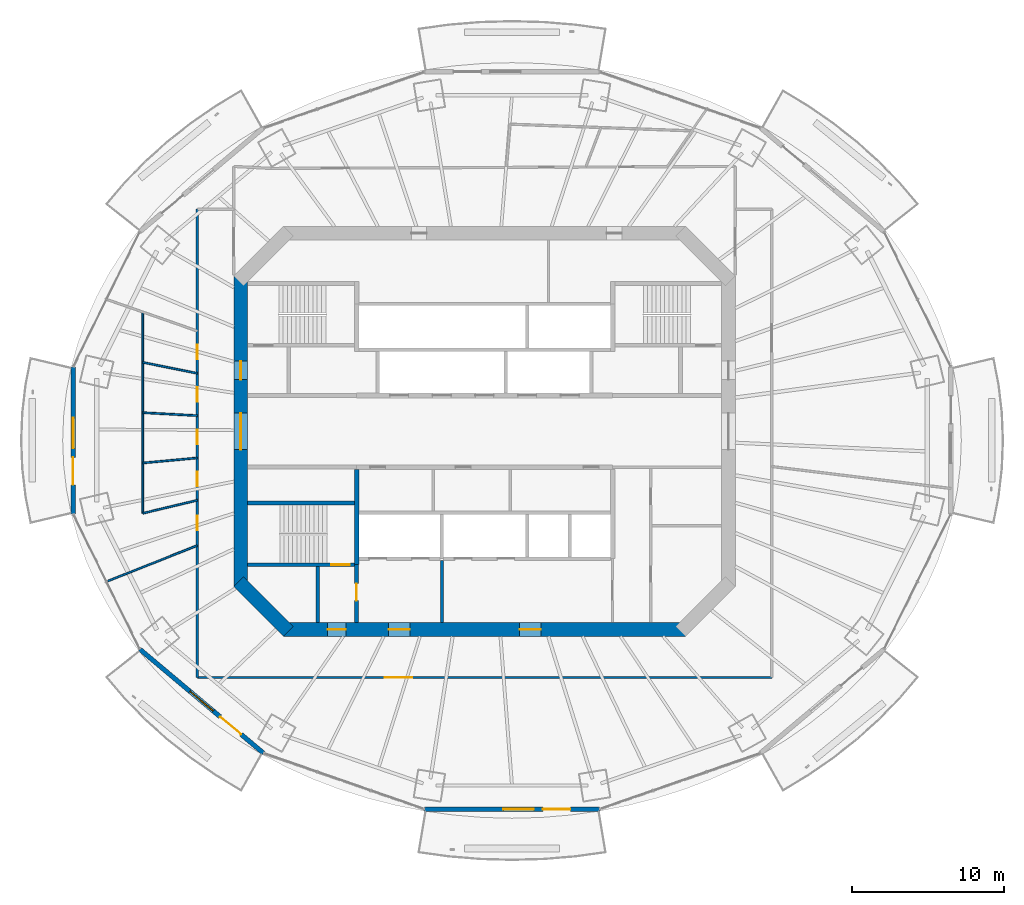
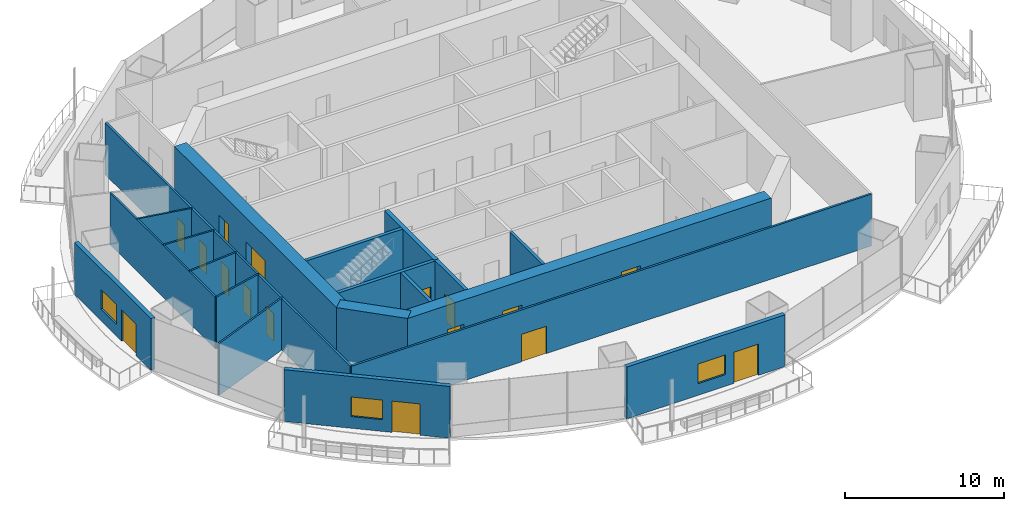
# One storey, part 10 of 18: 20 walls, 16 doors, 3 windows, 19 openings.
"""IFC4 building model written with IfcOpenShell, lengths in metres."""

from ifc_helpers import new_model, si_unit, direction, frame, frame_2d, origin, place, context, subcontext, project, spatial, rectangle, extrude, material, layer, layer_set, type_object, element, fill, save


model = new_model("IFC4")

# Units and contexts
model_context = context("Model", 3, precision=1e-05, world=origin(), true_north=direction((0.0, 1.0)))
body_context = subcontext(model_context, "Body", "Model", "MODEL_VIEW")
ifc_project = project(units=[si_unit("LENGTHUNIT", "METRE"), si_unit("AREAUNIT", "SQUARE_METRE"), si_unit("VOLUMEUNIT", "CUBIC_METRE"), si_unit("PLANEANGLEUNIT", "RADIAN"), si_unit("MASSUNIT", "GRAM", prefix="KILO")], contexts=[model_context])

# Site, building, storey
site_placement = place(None, origin())
site = spatial("IfcSite", under=ifc_project, at=site_placement, CompositionType="ELEMENT")
building_placement = place(site_placement, origin())
building = spatial("IfcBuilding", under=site, at=building_placement, Name="Marenthal Gate Tower", CompositionType="ELEMENT")
storey_placement = place(building_placement, frame((0.0, 0.0, 260.64990234375)))
storey = spatial("IfcBuildingStorey", under=building, at=storey_placement, Name="L58", CompositionType="ELEMENT", Elevation=260.64990234375)

# Wall, openings, doors
ifc_material_1 = material(Name="Concrete 60 MPa", Category="concrete")
ifc_layer_1 = layer(ifc_material_1, 0.89990234375)
ifc_layer_set_1 = layer_set([ifc_layer_1], Name="Core shear wall 900")
wall_type_1 = type_object("IfcWallType", Name="Core shear wall 900", PredefinedType="SHEAR", material=ifc_layer_set_1)
wall_1_placement = place(storey_placement, frame((-16.0, 10.186279296875, -0.179931640625), z_axis=(0.0, 0.0, 1.0), x_axis=(0.0, -1.0, 0.0)))
wall_1 = element("IfcWall", 1, at=wall_1_placement, inside=storey, type_object=wall_type_1, Name="Core wall 06", PredefinedType="SHEAR", context=body_context, shape_type="SweptSolid", body=[
    extrude(rectangle(XDim=20.37255859375, YDim=0.89990234375, at=frame_2d((10.186279296875, 0.0))), origin(), (0.0, 0.0, 1.0), 4.150146484375),
])
opening_1_placement = place(wall_1_placement, frame((8.986328125, 0.0, 0.179931640625)))
opening_1 = element("IfcOpeningElement", 2, at=opening_1_placement, cuts=wall_1, Name="Opening D003.01", PredefinedType="OPENING", context=body_context, shape_type="SweptSolid", body=[
    extrude(rectangle(XDim=2.39990234375, YDim=2.10009765625, at=frame_2d((1.199951171875, 1.050048828125))), frame((0.0, 0.4599609375, 0.0), z_axis=(0.0, -1.0, 0.0), x_axis=(1.0, 0.0, 0.0)), (0.0, 0.0, 1.0), 0.919921875),
])
opening_2_placement = place(wall_1_placement, frame((5.58642578125, 0.0, 0.179931640625)))
opening_2 = element("IfcOpeningElement", 3, at=opening_2_placement, cuts=wall_1, Name="Opening D001.04", PredefinedType="OPENING", context=body_context, shape_type="SweptSolid", body=[
    extrude(rectangle(XDim=1.199951171875, YDim=2.10009765625, at=frame_2d((0.60009765625, 1.050048828125))), frame((0.0, 0.4599609375, 0.0), z_axis=(0.0, -1.0, 0.0), x_axis=(1.0, 0.0, 0.0)), (0.0, 0.0, 1.0), 0.919921875),
])
ifc_material_2 = material(Name="Steel fire door", Category="steel")
door_type_1 = type_object("IfcDoorType", Name="Double fire door FD 45 2400 x 2100", OperationType="DOUBLE_DOOR_SINGLE_SWING", PredefinedType="DOOR", material=ifc_material_2)
door_1_placement = place(opening_1_placement, origin())
door_1 = element("IfcDoor", 4, at=door_1_placement, inside=storey, type_object=door_type_1, Name="Door D003.01", OperationType="DOUBLE_DOOR_SINGLE_SWING", OverallHeight=2.10009765625, OverallWidth=2.39990234375, PredefinedType="DOOR", context=body_context, shape_type="SweptSolid", body=[
    extrude(rectangle(XDim=2.39990234375, YDim=2.10009765625, at=frame_2d((1.199951171875, 1.050048828125))), frame((0.0, 0.02490234375, 0.0), z_axis=(0.0, -1.0, 0.0), x_axis=(1.0, 0.0, 0.0)), (0.0, 0.0, 1.0), 0.050048828125),
])
fill(opening_1, door_1)
ifc_material_3 = material(Name="Steel fire door", Category="steel")
door_type_2 = type_object("IfcDoorType", Name="Fire door FD 90 1200 x 2100", OperationType="NOTDEFINED", PredefinedType="DOOR", material=ifc_material_3)
door_2_placement = place(opening_2_placement, origin())
door_2 = element("IfcDoor", 5, at=door_2_placement, inside=storey, type_object=door_type_2, Name="Door D001.04", OperationType="SINGLE_SWING_RIGHT", OverallHeight=2.10009765625, OverallWidth=1.199951171875, PredefinedType="DOOR", context=body_context, shape_type="SweptSolid", body=[
    extrude(rectangle(XDim=1.199951171875, YDim=2.10009765625, at=frame_2d((0.60009765625, 1.050048828125))), frame((0.0, 0.02490234375, 0.0), z_axis=(0.0, -1.0, 0.0), x_axis=(1.0, 0.0, 0.0)), (0.0, 0.0, 1.0), 0.050048828125),
])
fill(opening_2, door_2)

# Wall
wall_2_placement = place(storey_placement, frame((-16.1318359375, -9.8681640625, -0.179931640625), z_axis=(0.0, 0.0, 1.0), x_axis=(0.707106781187, -0.707106781187, 0.0)))
element("IfcWall", 6, at=wall_2_placement, inside=storey, type_object=wall_type_1, Name="Core wall 07", PredefinedType="SHEAR", context=body_context, shape_type="SweptSolid", body=[
    extrude(rectangle(XDim=4.615478515625, YDim=0.89990234375, at=frame_2d((2.3076171875, 0.0))), origin(), (0.0, 0.0, 1.0), 4.150146484375),
])

# Wall, openings, doors
wall_3_placement = place(storey_placement, frame((-13.186279296875, -13.0, -0.179931640625), z_axis=(0.0, 0.0, 1.0), x_axis=(1.0, 0.0, 0.0)))
wall_3 = element("IfcWall", 7, at=wall_3_placement, inside=storey, type_object=wall_type_1, Name="Core wall 08", PredefinedType="SHEAR", context=body_context, shape_type="SweptSolid", body=[
    extrude(rectangle(XDim=26.37255859375, YDim=0.89990234375, at=frame_2d((13.186279296875, 0.0))), origin(), (0.0, 0.0, 1.0), 4.150146484375),
])
opening_3_placement = place(wall_3_placement, frame((2.886474609375, 0.0, 0.179931640625)))
opening_3 = element("IfcOpeningElement", 8, at=opening_3_placement, cuts=wall_3, Name="Opening D001.06", PredefinedType="OPENING", context=body_context, shape_type="SweptSolid", body=[
    extrude(rectangle(XDim=1.199951171875, YDim=2.10009765625, at=frame_2d((0.60009765625, 1.050048828125))), frame((0.0, 0.4599609375, 0.0), z_axis=(0.0, -1.0, 0.0), x_axis=(1.0, 0.0, 0.0)), (0.0, 0.0, 1.0), 0.919921875),
])
opening_4_placement = place(wall_3_placement, frame((6.886474609375, 0.0, 0.179931640625)))
opening_4 = element("IfcOpeningElement", 9, at=opening_4_placement, cuts=wall_3, Name="Opening D004.01", PredefinedType="OPENING", context=body_context, shape_type="SweptSolid", body=[
    extrude(rectangle(XDim=1.39990234375, YDim=2.10009765625, at=frame_2d((0.699951171875, 1.050048828125))), frame((0.0, 0.4599609375, 0.0), z_axis=(0.0, -1.0, 0.0), x_axis=(1.0, 0.0, 0.0)), (0.0, 0.0, 1.0), 0.919921875),
])
opening_5_placement = place(wall_3_placement, frame((15.486328125, 0.0, 0.179931640625)))
opening_5 = element("IfcOpeningElement", 10, at=opening_5_placement, cuts=wall_3, Name="Opening D004.02", PredefinedType="OPENING", context=body_context, shape_type="SweptSolid", body=[
    extrude(rectangle(XDim=1.39990234375, YDim=2.10009765625, at=frame_2d((0.699951171875, 1.050048828125))), frame((0.0, 0.4599609375, 0.0), z_axis=(0.0, -1.0, 0.0), x_axis=(1.0, 0.0, 0.0)), (0.0, 0.0, 1.0), 0.919921875),
])
ifc_material_4 = material(Name="Steel fire door", Category="steel")
door_type_3 = type_object("IfcDoorType", Name="Fire door FD 45 1400 x 2100", OperationType="NOTDEFINED", PredefinedType="DOOR", material=ifc_material_4)
door_3_placement = place(opening_4_placement, origin())
door_3 = element("IfcDoor", 11, at=door_3_placement, inside=storey, type_object=door_type_3, Name="Door D004.01", OperationType="SINGLE_SWING_RIGHT", OverallHeight=2.10009765625, OverallWidth=1.39990234375, PredefinedType="DOOR", context=body_context, shape_type="SweptSolid", body=[
    extrude(rectangle(XDim=1.39990234375, YDim=2.10009765625, at=frame_2d((0.699951171875, 1.050048828125))), frame((0.0, 0.02490234375, 0.0), z_axis=(0.0, -1.0, 0.0), x_axis=(1.0, 0.0, 0.0)), (0.0, 0.0, 1.0), 0.050048828125),
])
fill(opening_4, door_3)
door_4_placement = place(opening_5_placement, origin())
door_4 = element("IfcDoor", 12, at=door_4_placement, inside=storey, type_object=door_type_3, Name="Door D004.02", OperationType="SINGLE_SWING_RIGHT", OverallHeight=2.10009765625, OverallWidth=1.39990234375, PredefinedType="DOOR", context=body_context, shape_type="SweptSolid", body=[
    extrude(rectangle(XDim=1.39990234375, YDim=2.10009765625, at=frame_2d((0.699951171875, 1.050048828125))), frame((0.0, 0.02490234375, 0.0), z_axis=(0.0, -1.0, 0.0), x_axis=(1.0, 0.0, 0.0)), (0.0, 0.0, 1.0), 0.050048828125),
])
fill(opening_5, door_4)
door_5_placement = place(opening_3_placement, origin())
door_5 = element("IfcDoor", 13, at=door_5_placement, inside=storey, type_object=door_type_2, Name="Door D001.06", OperationType="SINGLE_SWING_RIGHT", OverallHeight=2.10009765625, OverallWidth=1.199951171875, PredefinedType="DOOR", context=body_context, shape_type="SweptSolid", body=[
    extrude(rectangle(XDim=1.199951171875, YDim=2.10009765625, at=frame_2d((0.60009765625, 1.050048828125))), frame((0.0, 0.02490234375, 0.0), z_axis=(0.0, -1.0, 0.0), x_axis=(1.0, 0.0, 0.0)), (0.0, 0.0, 1.0), 0.050048828125),
])
fill(opening_3, door_5)

# Walls
ifc_material_5 = material(Name="Gypsum board on steel studs", Category="steel")
ifc_layer_2 = layer(ifc_material_5, 0.199951171875)
ifc_layer_set_2 = layer_set([ifc_layer_2], Name="Fire lobby wall 200")
wall_type_2 = type_object("IfcWallType", Name="Fire lobby wall 200", PredefinedType="PARTITIONING", material=ifc_layer_set_2)
wall_4_placement = place(storey_placement, frame((-2.800048828125, -12.550048828125, 0.0), z_axis=(0.0, 0.0, 1.0), x_axis=(0.0, 1.0, 0.0)))
element("IfcWall", 14, at=wall_4_placement, inside=storey, type_object=wall_type_2, Name="Fire wall 35", PredefinedType="PARTITIONING", context=body_context, shape_type="SweptSolid", body=[
    extrude(rectangle(XDim=4.090087890625, YDim=0.199951171875, at=frame_2d((2.044921875, 0.0))), origin(), (0.0, 0.0, 1.0), 3.97021484375),
])
ifc_material_6 = material(Name="Concrete 50 MPa", Category="concrete")
ifc_layer_3 = layer(ifc_material_6, 0.300048828125)
ifc_layer_set_3 = layer_set([ifc_layer_3], Name="Hoistway shear wall 300")
wall_type_3 = type_object("IfcWallType", Name="Hoistway shear wall 300", PredefinedType="SHEAR", material=ifc_layer_set_3)
wall_5_placement = place(storey_placement, frame((-8.39990234375, -8.75, -0.179931640625), z_axis=(0.0, 0.0, 1.0), x_axis=(0.0, 1.0, 0.0)))
element("IfcWall", 15, at=wall_5_placement, inside=storey, type_object=wall_type_3, Name="Hoistway wall 30", PredefinedType="SHEAR", context=body_context, shape_type="SweptSolid", body=[
    extrude(rectangle(XDim=6.25, YDim=0.300048828125, at=frame_2d((3.125, 0.0))), origin(), (0.0, 0.0, 1.0), 4.150146484375),
])
ifc_material_7 = material(Name="Gypsum board on steel studs", Category="steel")
ifc_layer_4 = layer(ifc_material_7, 0.1201171875)
ifc_layer_set_4 = layer_set([ifc_layer_4], Name="Partition 120")
wall_type_4 = type_object("IfcWallType", Name="Partition 120", PredefinedType="PARTITIONING", material=ifc_layer_set_4)
wall_6_placement = place(storey_placement, frame((-22.4228515625, -5.37939453125, 0.0), z_axis=(0.0, 0.0, 1.0), x_axis=(0.972404790941, 0.233300069769, 0.0)))
element("IfcWall", 16, at=wall_6_placement, inside=storey, type_object=wall_type_4, Name="Partition wall 50", PredefinedType="PARTITIONING", context=body_context, shape_type="SweptSolid", body=[
    extrude(rectangle(XDim=3.674072265625, YDim=0.1201171875, at=frame_2d((1.8369140625, 0.0))), origin(), (0.0, 0.0, 1.0), 3.97021484375),
])
wall_7_placement = place(storey_placement, frame((-22.4228515625, -2.07763671875, 0.0), z_axis=(0.0, 0.0, 1.0), x_axis=(0.995734425091, 0.092265674486, 0.0)))
element("IfcWall", 17, at=wall_7_placement, inside=storey, type_object=wall_type_4, Name="Partition wall 51", PredefinedType="PARTITIONING", context=body_context, shape_type="SweptSolid", body=[
    extrude(rectangle(XDim=3.588134765625, YDim=0.1201171875, at=frame_2d((1.7939453125, 0.0))), origin(), (0.0, 0.0, 1.0), 3.97021484375),
])
wall_8_placement = place(storey_placement, frame((-22.4228515625, 1.223876953125, 0.0), z_axis=(0.0, 0.0, 1.0), x_axis=(0.998512805401, -0.054517680164, 0.0)))
element("IfcWall", 18, at=wall_8_placement, inside=storey, type_object=wall_type_4, Name="Partition wall 52", PredefinedType="PARTITIONING", context=body_context, shape_type="SweptSolid", body=[
    extrude(rectangle(XDim=3.578125, YDim=0.1201171875, at=frame_2d((1.7890625, 0.0))), origin(), (0.0, 0.0, 1.0), 3.97021484375),
])
wall_9_placement = place(storey_placement, frame((-22.4228515625, 4.525634765625, 0.0), z_axis=(0.0, 0.0, 1.0), x_axis=(0.980228738347, -0.19786768437, 0.0)))
element("IfcWall", 19, at=wall_9_placement, inside=storey, type_object=wall_type_4, Name="Partition wall 53", PredefinedType="PARTITIONING", context=body_context, shape_type="SweptSolid", body=[
    extrude(rectangle(XDim=3.644775390625, YDim=0.1201171875, at=frame_2d((1.822265625, 0.0))), origin(), (0.0, 0.0, 1.0), 3.97021484375),
])
wall_10_placement = place(storey_placement, frame((-22.4228515625, 7.8271484375, 0.0), z_axis=(0.0, 0.0, 1.0), x_axis=(0.0, -1.0, 0.0)))
element("IfcWall", 20, at=wall_10_placement, inside=storey, type_object=wall_type_4, Name="Partition wall 54", PredefinedType="PARTITIONING", context=body_context, shape_type="SweptSolid", body=[
    extrude(rectangle(XDim=13.20654296875, YDim=0.1201171875, at=frame_2d((6.603271484375, 0.0))), origin(), (0.0, 0.0, 1.0), 3.97021484375),
])
wall_11_placement = place(storey_placement, frame((-18.85009765625, -7.491943359375, 0.0), z_axis=(0.0, 0.0, 1.0), x_axis=(-0.929289035648, -0.369353337908, 0.0)))
element("IfcWall", 21, at=wall_11_placement, inside=storey, type_object=wall_type_4, Name="Partition wall 56", PredefinedType="PARTITIONING", context=body_context, shape_type="SweptSolid", body=[
    extrude(rectangle(XDim=6.40771484375, YDim=0.1201171875, at=frame_2d((3.203857421875, 0.0))), origin(), (0.0, 0.0, 1.0), 3.97021484375),
])

# Wall, openings, doors
ifc_material_8 = material(Name="Gypsum board on steel studs", Category="steel")
ifc_layer_5 = layer(ifc_material_8, 0.14990234375)
ifc_layer_set_5 = layer_set([ifc_layer_5], Name="Partition 150")
wall_type_5 = type_object("IfcWallType", Name="Partition 150", PredefinedType="PARTITIONING", material=ifc_layer_set_5)
wall_12_placement = place(storey_placement, frame((-18.85009765625, -16.14990234375, 0.0), z_axis=(0.0, 0.0, 1.0), x_axis=(0.0, 1.0, 0.0)))
wall_12 = element("IfcWall", 22, at=wall_12_placement, inside=storey, type_object=wall_type_5, Name="Partition wall 55", PredefinedType="PARTITIONING", context=body_context, shape_type="SweptSolid", body=[
    extrude(rectangle(XDim=30.72998046875, YDim=0.14990234375, at=frame_2d((15.364990234375, 0.0))), origin(), (0.0, 0.0, 1.0), 3.97021484375),
])
opening_6_placement = place(wall_12_placement, frame((20.866943359375, 0.0, 0.0)))
opening_6 = element("IfcOpeningElement", 23, at=opening_6_placement, cuts=wall_12, Name="Opening D016.03", PredefinedType="OPENING", context=body_context, shape_type="SweptSolid", body=[
    extrude(rectangle(XDim=0.949951171875, YDim=2.10009765625, at=frame_2d((0.47509765625, 1.050048828125))), frame((0.0, 0.0849609375, 0.0), z_axis=(0.0, -1.0, 0.0), x_axis=(1.0, 0.0, 0.0)), (0.0, 0.0, 1.0), 0.169921875),
])
opening_7_placement = place(wall_12_placement, frame((18.091064453125, 0.0, 0.0)))
opening_7 = element("IfcOpeningElement", 24, at=opening_7_placement, cuts=wall_12, Name="Opening D016.04", PredefinedType="OPENING", context=body_context, shape_type="SweptSolid", body=[
    extrude(rectangle(XDim=0.949951171875, YDim=2.10009765625, at=frame_2d((0.47509765625, 1.050048828125))), frame((0.0, 0.0849609375, 0.0), z_axis=(0.0, -1.0, 0.0), x_axis=(1.0, 0.0, 0.0)), (0.0, 0.0, 1.0), 0.169921875),
])
opening_8_placement = place(wall_12_placement, frame((15.31591796875, 0.0, 0.0)))
opening_8 = element("IfcOpeningElement", 25, at=opening_8_placement, cuts=wall_12, Name="Opening D016.05", PredefinedType="OPENING", context=body_context, shape_type="SweptSolid", body=[
    extrude(rectangle(XDim=0.949951171875, YDim=2.10009765625, at=frame_2d((0.47509765625, 1.050048828125))), frame((0.0, 0.0849609375, 0.0), z_axis=(0.0, -1.0, 0.0), x_axis=(1.0, 0.0, 0.0)), (0.0, 0.0, 1.0), 0.169921875),
])
opening_9_placement = place(wall_12_placement, frame((12.5400390625, 0.0, 0.0)))
opening_9 = element("IfcOpeningElement", 26, at=opening_9_placement, cuts=wall_12, Name="Opening D016.06", PredefinedType="OPENING", context=body_context, shape_type="SweptSolid", body=[
    extrude(rectangle(XDim=0.949951171875, YDim=2.10009765625, at=frame_2d((0.47509765625, 1.050048828125))), frame((0.0, 0.0849609375, 0.0), z_axis=(0.0, -1.0, 0.0), x_axis=(1.0, 0.0, 0.0)), (0.0, 0.0, 1.0), 0.169921875),
])
opening_10_placement = place(wall_12_placement, frame((9.66796875, 0.0, 0.0)))
opening_10 = element("IfcOpeningElement", 27, at=opening_10_placement, cuts=wall_12, Name="Opening D016.07", PredefinedType="OPENING", context=body_context, shape_type="SweptSolid", body=[
    extrude(rectangle(XDim=0.949951171875, YDim=2.10009765625, at=frame_2d((0.47509765625, 1.050048828125))), frame((0.0, 0.0849609375, 0.0), z_axis=(0.0, -1.0, 0.0), x_axis=(1.0, 0.0, 0.0)), (0.0, 0.0, 1.0), 0.169921875),
])
ifc_material_9 = material(Name="Timber door", Category="wood")
door_type_4 = type_object("IfcDoorType", Name="Door 950 x 2100", OperationType="NOTDEFINED", PredefinedType="DOOR", material=ifc_material_9)
door_6_placement = place(opening_6_placement, origin())
door_6 = element("IfcDoor", 28, at=door_6_placement, inside=storey, type_object=door_type_4, Name="Door D016.03", OperationType="SINGLE_SWING_RIGHT", OverallHeight=2.10009765625, OverallWidth=0.949951171875, PredefinedType="DOOR", context=body_context, shape_type="SweptSolid", body=[
    extrude(rectangle(XDim=0.949951171875, YDim=2.10009765625, at=frame_2d((0.47509765625, 1.050048828125))), frame((0.0, 0.02490234375, 0.0), z_axis=(0.0, -1.0, 0.0), x_axis=(1.0, 0.0, 0.0)), (0.0, 0.0, 1.0), 0.050048828125),
])
fill(opening_6, door_6)
door_7_placement = place(opening_7_placement, origin())
door_7 = element("IfcDoor", 29, at=door_7_placement, inside=storey, type_object=door_type_4, Name="Door D016.04", OperationType="SINGLE_SWING_RIGHT", OverallHeight=2.10009765625, OverallWidth=0.949951171875, PredefinedType="DOOR", context=body_context, shape_type="SweptSolid", body=[
    extrude(rectangle(XDim=0.949951171875, YDim=2.10009765625, at=frame_2d((0.47509765625, 1.050048828125))), frame((0.0, 0.02490234375, 0.0), z_axis=(0.0, -1.0, 0.0), x_axis=(1.0, 0.0, 0.0)), (0.0, 0.0, 1.0), 0.050048828125),
])
fill(opening_7, door_7)
door_8_placement = place(opening_8_placement, origin())
door_8 = element("IfcDoor", 30, at=door_8_placement, inside=storey, type_object=door_type_4, Name="Door D016.05", OperationType="SINGLE_SWING_RIGHT", OverallHeight=2.10009765625, OverallWidth=0.949951171875, PredefinedType="DOOR", context=body_context, shape_type="SweptSolid", body=[
    extrude(rectangle(XDim=0.949951171875, YDim=2.10009765625, at=frame_2d((0.47509765625, 1.050048828125))), frame((0.0, 0.02490234375, 0.0), z_axis=(0.0, -1.0, 0.0), x_axis=(1.0, 0.0, 0.0)), (0.0, 0.0, 1.0), 0.050048828125),
])
fill(opening_8, door_8)
door_9_placement = place(opening_9_placement, origin())
door_9 = element("IfcDoor", 31, at=door_9_placement, inside=storey, type_object=door_type_4, Name="Door D016.06", OperationType="SINGLE_SWING_RIGHT", OverallHeight=2.10009765625, OverallWidth=0.949951171875, PredefinedType="DOOR", context=body_context, shape_type="SweptSolid", body=[
    extrude(rectangle(XDim=0.949951171875, YDim=2.10009765625, at=frame_2d((0.47509765625, 1.050048828125))), frame((0.0, 0.02490234375, 0.0), z_axis=(0.0, -1.0, 0.0), x_axis=(1.0, 0.0, 0.0)), (0.0, 0.0, 1.0), 0.050048828125),
])
fill(opening_9, door_9)
door_10_placement = place(opening_10_placement, origin())
door_10 = element("IfcDoor", 32, at=door_10_placement, inside=storey, type_object=door_type_4, Name="Door D016.07", OperationType="SINGLE_SWING_RIGHT", OverallHeight=2.10009765625, OverallWidth=0.949951171875, PredefinedType="DOOR", context=body_context, shape_type="SweptSolid", body=[
    extrude(rectangle(XDim=0.949951171875, YDim=2.10009765625, at=frame_2d((0.47509765625, 1.050048828125))), frame((0.0, 0.02490234375, 0.0), z_axis=(0.0, -1.0, 0.0), x_axis=(1.0, 0.0, 0.0)), (0.0, 0.0, 1.0), 0.050048828125),
])
fill(opening_10, door_10)

# Wall, opening, door
wall_13_placement = place(storey_placement, frame((18.85009765625, -16.14990234375, 0.0), z_axis=(0.0, 0.0, 1.0), x_axis=(-1.0, 0.0, 0.0)))
wall_13 = element("IfcWall", 33, at=wall_13_placement, inside=storey, type_object=wall_type_5, Name="Partition wall 68", PredefinedType="PARTITIONING", context=body_context, shape_type="SweptSolid", body=[
    extrude(rectangle(XDim=37.7001953125, YDim=0.14990234375, at=frame_2d((18.85009765625, 0.0))), origin(), (0.0, 0.0, 1.0), 3.97021484375),
])
opening_11_placement = place(wall_13_placement, frame((23.5830078125, 0.0, 0.0)))
opening_11 = element("IfcOpeningElement", 34, at=opening_11_placement, cuts=wall_13, Name="Opening D014.02", PredefinedType="OPENING", context=body_context, shape_type="SweptSolid", body=[
    extrude(rectangle(XDim=1.800048828125, YDim=2.10009765625, at=frame_2d((0.89990234375, 1.050048828125))), frame((0.0, 0.0849609375, 0.0), z_axis=(0.0, -1.0, 0.0), x_axis=(1.0, 0.0, 0.0)), (0.0, 0.0, 1.0), 0.169921875),
])
ifc_material_10 = material(Name="Timber door", Category="wood")
door_type_5 = type_object("IfcDoorType", Name="Double door 1800 x 2100", OperationType="DOUBLE_DOOR_SINGLE_SWING", PredefinedType="DOOR", material=ifc_material_10)
door_11_placement = place(opening_11_placement, origin())
door_11 = element("IfcDoor", 35, at=door_11_placement, inside=storey, type_object=door_type_5, Name="Door D014.02", OperationType="DOUBLE_DOOR_SINGLE_SWING", OverallHeight=2.10009765625, OverallWidth=1.800048828125, PredefinedType="DOOR", context=body_context, shape_type="SweptSolid", body=[
    extrude(rectangle(XDim=1.800048828125, YDim=2.10009765625, at=frame_2d((0.89990234375, 1.050048828125))), frame((0.0, 0.02490234375, 0.0), z_axis=(0.0, -1.0, 0.0), x_axis=(1.0, 0.0, 0.0)), (0.0, 0.0, 1.0), 0.050048828125),
])
fill(opening_11, door_11)

# Wall
ifc_material_11 = material(Name="Concrete 40 MPa", Category="concrete")
ifc_layer_6 = layer(ifc_material_11, 0.25)
ifc_layer_set_6 = layer_set([ifc_layer_6], Name="Stair enclosure wall 250")
wall_type_6 = type_object("IfcWallType", Name="Stair enclosure wall 250", PredefinedType="STANDARD", material=ifc_layer_set_6)
wall_14_placement = place(storey_placement, frame((-10.949951171875, -12.550048828125, 0.0), z_axis=(0.0, 0.0, 1.0), x_axis=(0.0, 1.0, 0.0)))
element("IfcWall", 36, at=wall_14_placement, inside=storey, type_object=wall_type_6, Name="Stair wall 28", PredefinedType="STANDARD", context=body_context, shape_type="SweptSolid", body=[
    extrude(rectangle(XDim=3.675048828125, YDim=0.25, at=frame_2d((1.83740234375, 0.0))), origin(), (0.0, 0.0, 1.0), 3.97021484375),
])

# Wall, opening, door
wall_15_placement = place(storey_placement, frame((-8.39990234375, -12.550048828125, 0.0), z_axis=(0.0, 0.0, 1.0), x_axis=(0.0, 1.0, 0.0)))
wall_15 = element("IfcWall", 37, at=wall_15_placement, inside=storey, type_object=wall_type_6, Name="Stair wall 29", PredefinedType="STANDARD", context=body_context, shape_type="SweptSolid", body=[
    extrude(rectangle(XDim=3.800048828125, YDim=0.25, at=frame_2d((1.89990234375, 0.0))), origin(), (0.0, 0.0, 1.0), 3.97021484375),
])
opening_12_placement = place(wall_15_placement, frame((1.449951171875, 0.0, 0.0)))
opening_12 = element("IfcOpeningElement", 38, at=opening_12_placement, cuts=wall_15, Name="Opening D002.01", PredefinedType="OPENING", context=body_context, shape_type="SweptSolid", body=[
    extrude(rectangle(XDim=1.10009765625, YDim=2.10009765625, at=frame_2d((0.550048828125, 1.050048828125))), frame((0.0, 0.135009765625, 0.0), z_axis=(0.0, -1.0, 0.0), x_axis=(1.0, 0.0, 0.0)), (0.0, 0.0, 1.0), 0.27001953125),
])
ifc_material_12 = material(Name="Steel fire door", Category="steel")
door_type_6 = type_object("IfcDoorType", Name="Fire door FD 90 1100 x 2100", OperationType="NOTDEFINED", PredefinedType="DOOR", material=ifc_material_12)
door_12_placement = place(opening_12_placement, origin())
door_12 = element("IfcDoor", 39, at=door_12_placement, inside=storey, type_object=door_type_6, Name="Door D002.01", OperationType="SINGLE_SWING_RIGHT", OverallHeight=2.10009765625, OverallWidth=1.10009765625, PredefinedType="DOOR", context=body_context, shape_type="SweptSolid", body=[
    extrude(rectangle(XDim=1.10009765625, YDim=2.10009765625, at=frame_2d((0.550048828125, 1.050048828125))), frame((0.0, 0.02490234375, 0.0), z_axis=(0.0, -1.0, 0.0), x_axis=(1.0, 0.0, 0.0)), (0.0, 0.0, 1.0), 0.050048828125),
])
fill(opening_12, door_12)

ifc_material_13 = material(Name="Concrete 50 MPa", Category="concrete")
ifc_layer_7 = layer(ifc_material_13, 0.25)
ifc_layer_set_7 = layer_set([ifc_layer_7], Name="Stair shear wall 250")
wall_type_7 = type_object("IfcWallType", Name="Stair shear wall 250", PredefinedType="SHEAR", material=ifc_layer_set_7)
wall_16_placement = place(storey_placement, frame((-15.550048828125, -8.75, -0.179931640625), z_axis=(0.0, 0.0, 1.0), x_axis=(1.0, 0.0, 0.0)))
wall_16 = element("IfcWall", 40, at=wall_16_placement, inside=storey, type_object=wall_type_7, Name="Stair wall 09", PredefinedType="SHEAR", context=body_context, shape_type="SweptSolid", body=[
    extrude(rectangle(XDim=7.0, YDim=0.25, at=frame_2d((3.5, 0.0))), origin(), (0.0, 0.0, 1.0), 4.150146484375),
])
opening_13_placement = place(wall_16_placement, frame((5.5, 0.0, 0.179931640625)))
opening_13 = element("IfcOpeningElement", 41, at=opening_13_placement, cuts=wall_16, Name="Opening D001.03", PredefinedType="OPENING", context=body_context, shape_type="SweptSolid", body=[
    extrude(rectangle(XDim=1.199951171875, YDim=2.10009765625, at=frame_2d((0.60009765625, 1.050048828125))), frame((0.0, 0.135009765625, 0.0), z_axis=(0.0, -1.0, 0.0), x_axis=(1.0, 0.0, 0.0)), (0.0, 0.0, 1.0), 0.27001953125),
])
door_13_placement = place(opening_13_placement, origin())
door_13 = element("IfcDoor", 42, at=door_13_placement, inside=storey, type_object=door_type_2, Name="Door D001.03", OperationType="SINGLE_SWING_RIGHT", OverallHeight=2.10009765625, OverallWidth=1.199951171875, PredefinedType="DOOR", context=body_context, shape_type="SweptSolid", body=[
    extrude(rectangle(XDim=1.199951171875, YDim=2.10009765625, at=frame_2d((0.60009765625, 1.050048828125))), frame((0.0, 0.02490234375, 0.0), z_axis=(0.0, -1.0, 0.0), x_axis=(1.0, 0.0, 0.0)), (0.0, 0.0, 1.0), 0.050048828125),
])
fill(opening_13, door_13)

# Wall
wall_17_placement = place(storey_placement, frame((-15.550048828125, -4.699951171875, -0.179931640625), z_axis=(0.0, 0.0, 1.0), x_axis=(1.0, 0.0, 0.0)))
element("IfcWall", 43, at=wall_17_placement, inside=storey, type_object=wall_type_7, Name="Stair wall 14", PredefinedType="SHEAR", context=body_context, shape_type="SweptSolid", body=[
    extrude(rectangle(XDim=7.0, YDim=0.25, at=frame_2d((3.5, 0.0))), origin(), (0.0, 0.0, 1.0), 4.150146484375),
])

# Wall, openings, door, window
ifc_material_14 = material(Name="Terracotta cladding on insulated concrete-block backing", Category="masonry")
ifc_layer_8 = layer(ifc_material_14, 0.300048828125)
ifc_layer_set_8 = layer_set([ifc_layer_8], Name="Terracotta facade wall 300")
wall_type_8 = type_object("IfcWallType", Name="Terracotta facade wall 300", PredefinedType="SOLIDWALL", material=ifc_layer_set_8)
wall_18_placement = place(storey_placement, frame((-26.996826171875, 4.21240234375, 0.0), z_axis=(0.0, 0.0, 1.0), x_axis=(0.0, -1.0, 0.0)))
wall_18 = element("IfcWall", 44, at=wall_18_placement, inside=storey, type_object=wall_type_8, Name="Terracotta facade wall L58 bay 8", PredefinedType="SOLIDWALL", context=body_context, shape_type="SweptSolid", body=[
    extrude(rectangle(XDim=9.625, YDim=0.300048828125, at=frame_2d((4.8125, 0.0))), origin(), (0.0, 0.0, 1.0), 3.97021484375),
])
opening_14_placement = place(wall_18_placement, frame((5.925048828125, 0.0, 0.0)))
opening_14 = element("IfcOpeningElement", 45, at=opening_14_placement, cuts=wall_18, Name="Opening BD-L58-08", PredefinedType="OPENING", context=body_context, shape_type="SweptSolid", body=[
    extrude(rectangle(XDim=1.800048828125, YDim=2.39990234375, at=frame_2d((0.89990234375, 1.199951171875))), frame((0.0, 0.16015625, 0.0), z_axis=(0.0, -1.0, 0.0), x_axis=(1.0, 0.0, 0.0)), (0.0, 0.0, 1.0), 0.320068359375),
])
opening_15_placement = place(wall_18_placement, frame((3.324951171875, 0.0, 0.89990234375)))
opening_15 = element("IfcOpeningElement", 46, at=opening_15_placement, cuts=wall_18, Name="Opening WN2-L58-08", PredefinedType="OPENING", context=body_context, shape_type="SweptSolid", body=[
    extrude(rectangle(XDim=2.0, YDim=1.5, at=frame_2d((1.0, 0.75))), frame((0.0, 0.16015625, 0.0), z_axis=(0.0, -1.0, 0.0), x_axis=(1.0, 0.0, 0.0)), (0.0, 0.0, 1.0), 0.320068359375),
])
ifc_material_15 = material(Name="Aluminium and glass", Category="aluminium")
door_type_7 = type_object("IfcDoorType", Name="Balcony door 1800x2400", OperationType="DOUBLE_DOOR_SINGLE_SWING", PredefinedType="DOOR", material=ifc_material_15)
door_14_placement = place(opening_14_placement, origin())
door_14 = element("IfcDoor", 47, at=door_14_placement, inside=storey, type_object=door_type_7, Name="Balcony door L58 bay 8", OperationType="SINGLE_SWING_LEFT", OverallHeight=2.39990234375, OverallWidth=1.800048828125, PredefinedType="DOOR", context=body_context, shape_type="SweptSolid", body=[
    extrude(rectangle(XDim=1.800048828125, YDim=2.39990234375, at=frame_2d((0.89990234375, 1.199951171875))), frame((0.0, 0.02490234375, 0.0), z_axis=(0.0, -1.0, 0.0), x_axis=(1.0, 0.0, 0.0)), (0.0, 0.0, 1.0), 0.050048828125),
])
fill(opening_14, door_14)
ifc_material_16 = material(Name="Aluminium and glass", Category="aluminium")
window_type = type_object("IfcWindowType", Name="Window 2000x1500", PartitioningType="DOUBLE_PANEL_VERTICAL", PredefinedType="WINDOW", material=ifc_material_16)
window_1_placement = place(opening_15_placement, origin())
window_1 = element("IfcWindow", 48, at=window_1_placement, inside=storey, type_object=window_type, Name="Window L58 bay 8", OverallHeight=1.5, OverallWidth=2.0, PartitioningType="SINGLE_PANEL", PredefinedType="WINDOW", context=body_context, shape_type="SweptSolid", body=[
    extrude(rectangle(XDim=2.0, YDim=1.5, at=frame_2d((1.0, 0.75))), frame((0.0, 0.030029296875, 0.0), z_axis=(0.0, -1.0, 0.0), x_axis=(1.0, 0.0, 0.0)), (0.0, 0.0, 1.0), 0.06005859375),
])
fill(opening_15, window_1)

wall_19_placement = place(storey_placement, frame((-22.61279296875, -14.3046875, 0.0), z_axis=(0.0, 0.0, 1.0), x_axis=(0.76563894676, -0.643270552104, 0.0)))
wall_19 = element("IfcWall", 49, at=wall_19_placement, inside=storey, type_object=wall_type_8, Name="Terracotta facade wall L58 bay 10", PredefinedType="SOLIDWALL", context=body_context, shape_type="SweptSolid", body=[
    extrude(rectangle(XDim=10.580078125, YDim=0.300048828125, at=frame_2d((5.2900390625, 0.0))), origin(), (0.0, 0.0, 1.0), 3.97021484375),
])
opening_16_placement = place(wall_19_placement, frame((6.880126953125, 0.0, 0.0)))
opening_16 = element("IfcOpeningElement", 50, at=opening_16_placement, cuts=wall_19, Name="Opening BD-L58-10", PredefinedType="OPENING", context=body_context, shape_type="SweptSolid", body=[
    extrude(rectangle(XDim=1.800048828125, YDim=2.39990234375, at=frame_2d((0.89990234375, 1.199951171875))), frame((0.0, 0.16015625, 0.0), z_axis=(0.0, -1.0, 0.0), x_axis=(1.0, 0.0, 0.0)), (0.0, 0.0, 1.0), 0.320068359375),
])
opening_17_placement = place(wall_19_placement, frame((4.2802734375, 0.0, 0.89990234375)))
opening_17 = element("IfcOpeningElement", 51, at=opening_17_placement, cuts=wall_19, Name="Opening WN2-L58-10", PredefinedType="OPENING", context=body_context, shape_type="SweptSolid", body=[
    extrude(rectangle(XDim=2.0, YDim=1.5, at=frame_2d((1.0, 0.75))), frame((0.0, 0.16015625, 0.0), z_axis=(0.0, -1.0, 0.0), x_axis=(1.0, 0.0, 0.0)), (0.0, 0.0, 1.0), 0.320068359375),
])
door_15_placement = place(opening_16_placement, origin())
door_15 = element("IfcDoor", 52, at=door_15_placement, inside=storey, type_object=door_type_7, Name="Balcony door L58 bay 10", OperationType="SINGLE_SWING_LEFT", OverallHeight=2.39990234375, OverallWidth=1.800048828125, PredefinedType="DOOR", context=body_context, shape_type="SweptSolid", body=[
    extrude(rectangle(XDim=1.800048828125, YDim=2.39990234375, at=frame_2d((0.89990234375, 1.199951171875))), frame((0.0, 0.02490234375, 0.0), z_axis=(0.0, -1.0, 0.0), x_axis=(1.0, 0.0, 0.0)), (0.0, 0.0, 1.0), 0.050048828125),
])
fill(opening_16, door_15)
window_2_placement = place(opening_17_placement, origin())
window_2 = element("IfcWindow", 53, at=window_2_placement, inside=storey, type_object=window_type, Name="Window L58 bay 10", OverallHeight=1.5, OverallWidth=2.0, PartitioningType="SINGLE_PANEL", PredefinedType="WINDOW", context=body_context, shape_type="SweptSolid", body=[
    extrude(rectangle(XDim=2.0, YDim=1.5, at=frame_2d((1.0, 0.75))), frame((0.0, 0.030029296875, 0.0), z_axis=(0.0, -1.0, 0.0), x_axis=(1.0, 0.0, 0.0)), (0.0, 0.0, 1.0), 0.06005859375),
])
fill(opening_17, window_2)

wall_20_placement = place(storey_placement, frame((-3.927978515625, -24.7939453125, 0.0), z_axis=(0.0, 0.0, 1.0), x_axis=(1.0, 0.0, 0.0)))
wall_20 = element("IfcWall", 54, at=wall_20_placement, inside=storey, type_object=wall_type_8, Name="Terracotta facade wall L58 bay 12", PredefinedType="SOLIDWALL", context=body_context, shape_type="SweptSolid", body=[
    extrude(rectangle(XDim=11.4560546875, YDim=0.300048828125, at=frame_2d((5.72802734375, 0.0))), origin(), (0.0, 0.0, 1.0), 3.97021484375),
])
opening_18_placement = place(wall_20_placement, frame((7.756103515625, 0.0, 0.0)))
opening_18 = element("IfcOpeningElement", 55, at=opening_18_placement, cuts=wall_20, Name="Opening BD-L58-12", PredefinedType="OPENING", context=body_context, shape_type="SweptSolid", body=[
    extrude(rectangle(XDim=1.800048828125, YDim=2.39990234375, at=frame_2d((0.89990234375, 1.199951171875))), frame((0.0, 0.16015625, 0.0), z_axis=(0.0, -1.0, 0.0), x_axis=(1.0, 0.0, 0.0)), (0.0, 0.0, 1.0), 0.320068359375),
])
opening_19_placement = place(wall_20_placement, frame((5.156005859375, 0.0, 0.89990234375)))
opening_19 = element("IfcOpeningElement", 56, at=opening_19_placement, cuts=wall_20, Name="Opening WN2-L58-12", PredefinedType="OPENING", context=body_context, shape_type="SweptSolid", body=[
    extrude(rectangle(XDim=2.0, YDim=1.5, at=frame_2d((1.0, 0.75))), frame((0.0, 0.16015625, 0.0), z_axis=(0.0, -1.0, 0.0), x_axis=(1.0, 0.0, 0.0)), (0.0, 0.0, 1.0), 0.320068359375),
])
door_16_placement = place(opening_18_placement, origin())
door_16 = element("IfcDoor", 57, at=door_16_placement, inside=storey, type_object=door_type_7, Name="Balcony door L58 bay 12", OperationType="SINGLE_SWING_LEFT", OverallHeight=2.39990234375, OverallWidth=1.800048828125, PredefinedType="DOOR", context=body_context, shape_type="SweptSolid", body=[
    extrude(rectangle(XDim=1.800048828125, YDim=2.39990234375, at=frame_2d((0.89990234375, 1.199951171875))), frame((0.0, 0.02490234375, 0.0), z_axis=(0.0, -1.0, 0.0), x_axis=(1.0, 0.0, 0.0)), (0.0, 0.0, 1.0), 0.050048828125),
])
fill(opening_18, door_16)
window_3_placement = place(opening_19_placement, origin())
window_3 = element("IfcWindow", 58, at=window_3_placement, inside=storey, type_object=window_type, Name="Window L58 bay 12", OverallHeight=1.5, OverallWidth=2.0, PartitioningType="SINGLE_PANEL", PredefinedType="WINDOW", context=body_context, shape_type="SweptSolid", body=[
    extrude(rectangle(XDim=2.0, YDim=1.5, at=frame_2d((1.0, 0.75))), frame((0.0, 0.030029296875, 0.0), z_axis=(0.0, -1.0, 0.0), x_axis=(1.0, 0.0, 0.0)), (0.0, 0.0, 1.0), 0.06005859375),
])
fill(opening_19, window_3)

save(model, "model.ifc")
